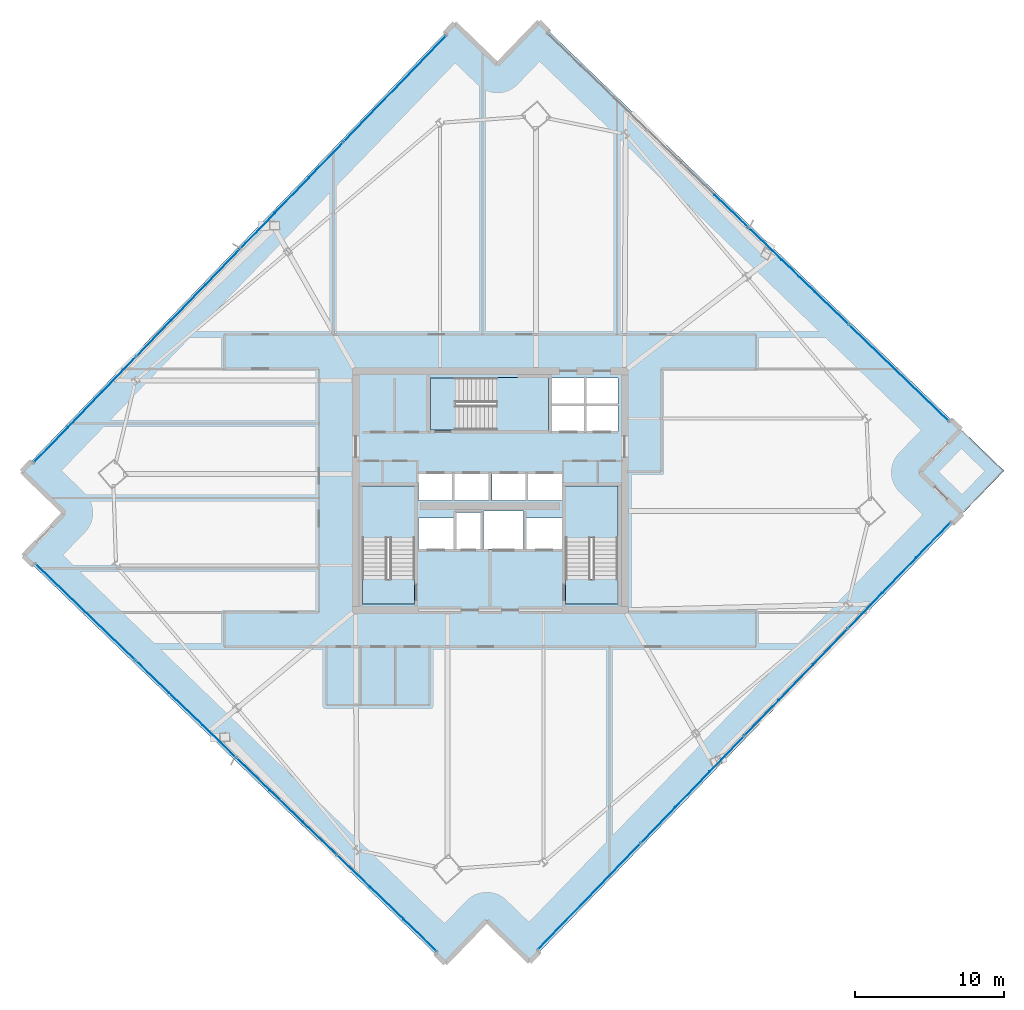
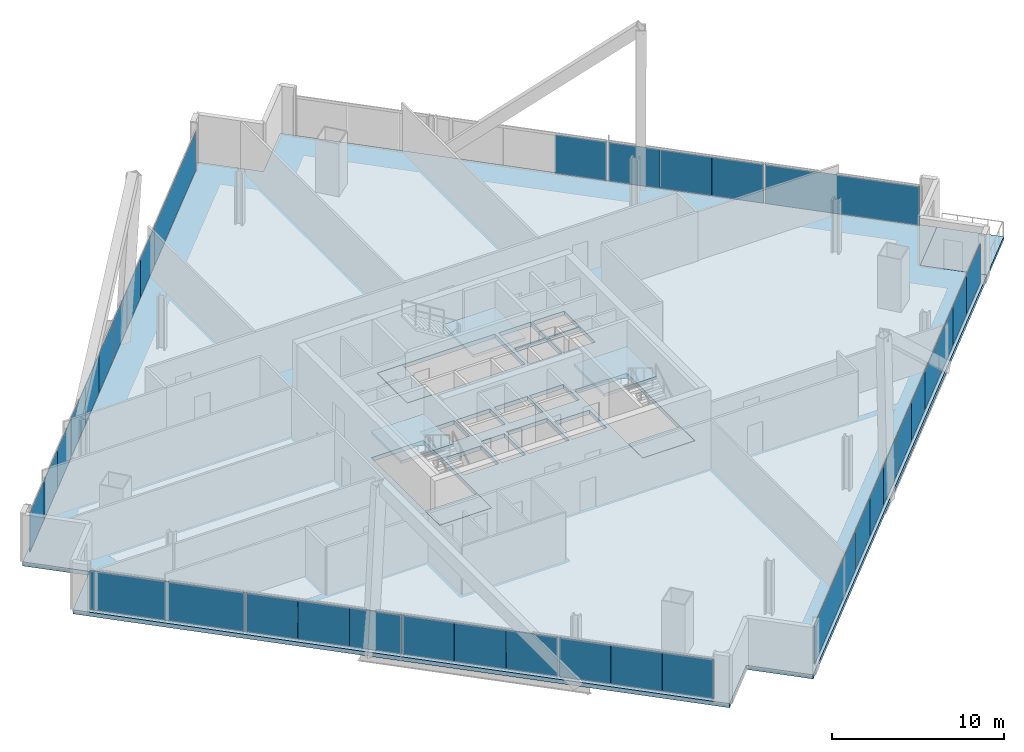
# One storey, part 24 of 33: 35 plates, 8 slabs, 7 elements without a shape of their own.
"""IFC4 building model written with IfcOpenShell, lengths in metres."""

from ifc_helpers import new_model, si_unit, direction, frame, origin, origin_2d, place, context, subcontext, project, spatial, polyline, rectangle, outline, extrude, source, transform, mapped, material, layer, layer_set, type_object, element, aggregate, save


model = new_model("IFC4")

# Units and contexts
model_context = context("Model", 3, precision=1e-05, world=origin(), true_north=direction((0.0, 1.0)))
body_context = subcontext(model_context, "Body", "Model", "MODEL_VIEW")
ifc_project = project(units=[si_unit("LENGTHUNIT", "METRE"), si_unit("AREAUNIT", "SQUARE_METRE"), si_unit("VOLUMEUNIT", "CUBIC_METRE"), si_unit("PLANEANGLEUNIT", "RADIAN"), si_unit("MASSUNIT", "GRAM", prefix="KILO")], contexts=[model_context])

# Site, building, storey
site_placement = place(None, origin())
site = spatial("IfcSite", under=ifc_project, at=site_placement, CompositionType="ELEMENT")
building_placement = place(site_placement, origin())
building = spatial("IfcBuilding", under=site, at=building_placement, Name="Haldenkirk Collegiate Tower", CompositionType="ELEMENT")
storey_placement = place(building_placement, frame((0.0, 0.0, 181.949951171875)))
storey = spatial("IfcBuildingStorey", under=building, at=storey_placement, Name="L45", CompositionType="ELEMENT", Elevation=181.949951171875)

# Slab
ifc_material_1 = material(Name="Concrete f'c 40 MPa", Category="concrete")
ifc_layer_1 = layer(ifc_material_1, 0.2900390625)
ifc_layer_set_1 = layer_set([ifc_layer_1], Name="Concrete f'c 40 MPa")
slab_type_1 = type_object("IfcSlabType", Name="SLB-FLR-290", PredefinedType="FLOOR", material=ifc_layer_set_1)
slab_1_placement = place(storey_placement, frame((0.0, 0.0, -0.2900390625)))
element("IfcSlab", 1, at=slab_1_placement, inside=storey, type_object=slab_type_1, Name="L45 composite structural floor slab", PredefinedType="FLOOR", context=body_context, shape_type="SweptSolid", body=[
    extrude(outline(polyline([(38.654541015625, -5.548583984375), (67.621826171875, 24.447998046875), (64.744384765625, 27.2265625), (67.523193359375, 30.10400390625), (39.27099609375, 57.38671875), (36.492431640625, 54.50927734375), (33.614990234375, 57.2880859375), (4.64794921875, 27.29150390625), (7.525146484375, 24.512939453125), (4.74658203125, 21.635498046875), (32.998779296875, -5.647216796875), (35.77734375, -2.769775390625), (38.654541015625, -5.548583984375)]), holes=[polyline([(27.449951171875, 18.39990234375), (30.949951171875, 18.39990234375), (30.949951171875, 26.300048828125), (27.449951171875, 26.300048828125), (27.449951171875, 18.39990234375)]), polyline([(41.050048828125, 18.39990234375), (44.550048828125, 18.39990234375), (44.550048828125, 26.300048828125), (41.050048828125, 26.300048828125), (41.050048828125, 18.39990234375)]), polyline([(32.0, 30.050048828125), (39.89990234375, 30.050048828125), (39.89990234375, 33.550048828125), (32.0, 33.550048828125), (32.0, 30.050048828125)]), polyline([(33.75, 22.10009765625), (35.35009765625, 22.10009765625), (35.35009765625, 24.550048828125), (33.75, 24.550048828125), (33.75, 22.10009765625)]), polyline([(40.14990234375, 29.949951171875), (42.320068359375, 29.949951171875), (42.320068359375, 31.699951171875), (40.14990234375, 31.699951171875), (40.14990234375, 29.949951171875)]), polyline([(42.419921875, 29.949951171875), (44.550048828125, 29.949951171875), (44.550048828125, 31.699951171875), (42.419921875, 31.699951171875), (42.419921875, 29.949951171875)]), polyline([(40.14990234375, 31.800048828125), (42.320068359375, 31.800048828125), (42.320068359375, 33.550048828125), (40.14990234375, 33.550048828125), (40.14990234375, 31.800048828125)]), polyline([(42.419921875, 31.800048828125), (44.550048828125, 31.800048828125), (44.550048828125, 33.550048828125), (42.419921875, 33.550048828125), (42.419921875, 31.800048828125)]), polyline([(31.199951171875, 25.35009765625), (33.47998046875, 25.35009765625), (33.47998046875, 27.14990234375), (31.199951171875, 27.14990234375), (31.199951171875, 25.35009765625)]), polyline([(33.60009765625, 25.35009765625), (35.8798828125, 25.35009765625), (35.8798828125, 27.14990234375), (33.60009765625, 27.14990234375), (33.60009765625, 25.35009765625)]), polyline([(36.1201171875, 25.35009765625), (38.39990234375, 25.35009765625), (38.39990234375, 27.14990234375), (36.1201171875, 27.14990234375), (36.1201171875, 25.35009765625)]), polyline([(38.52001953125, 25.35009765625), (40.800048828125, 25.35009765625), (40.800048828125, 27.14990234375), (38.52001953125, 27.14990234375), (38.52001953125, 25.35009765625)]), polyline([(31.199951171875, 22.10009765625), (33.550048828125, 22.10009765625), (33.550048828125, 24.14990234375), (31.199951171875, 24.14990234375), (31.199951171875, 22.10009765625)]), polyline([(38.449951171875, 22.10009765625), (40.800048828125, 22.10009765625), (40.800048828125, 24.14990234375), (38.449951171875, 24.14990234375), (38.449951171875, 22.10009765625)]), polyline([(35.550048828125, 22.10009765625), (38.25, 22.10009765625), (38.25, 24.64990234375), (35.550048828125, 24.64990234375), (35.550048828125, 22.10009765625)])]), origin(), (0.0, 0.0, 1.0), 0.2900390625),
])

# Stair, slab
stair_type = type_object("IfcStairType", Name="STR-DOGLEG-1650", PredefinedType="HALF_TURN_STAIR", material=ifc_material_1)
stair_1_placement = place(storey_placement, origin())
stair_1 = element("IfcStair", 2, at=stair_1_placement, inside=storey, type_object=stair_type, Name="L45 Core Exit Stair ST-1", PredefinedType="HALF_TURN_STAIR")
ifc_layer_2 = layer(ifc_material_1, 0.199951171875)
ifc_layer_set_2 = layer_set([ifc_layer_2], Name="Concrete f'c 40 MPa")
slab_type_2 = type_object("IfcSlabType", Name="SLB-LANDING-200", PredefinedType="LANDING", material=ifc_layer_set_2)
slab_2_placement = place(storey_placement, frame((0.0, 0.0, 1.675048828125)))
slab_2 = element("IfcSlab", 3, at=slab_2_placement, type_object=slab_type_2, Name="ST-1 landing 1", PredefinedType="LANDING", context=body_context, shape_type="SweptSolid", body=[
    extrude(outline(polyline([(30.97509765625, 22.824951171875), (27.425048828125, 22.824951171875), (27.425048828125, 26.324951171875), (30.97509765625, 26.324951171875), (30.97509765625, 22.824951171875)])), origin(), (0.0, 0.0, 1.0), 0.199951171875),
])
aggregate(stair_1, [slab_2])

stair_2_placement = place(storey_placement, origin())
stair_2 = element("IfcStair", 4, at=stair_2_placement, inside=storey, type_object=stair_type, Name="L45 Core Exit Stair ST-2", PredefinedType="HALF_TURN_STAIR")
slab_3_placement = place(storey_placement, frame((0.0, 0.0, 1.675048828125)))
slab_3 = element("IfcSlab", 5, at=slab_3_placement, type_object=slab_type_2, Name="ST-2 landing 1", PredefinedType="LANDING", context=body_context, shape_type="SweptSolid", body=[
    extrude(outline(polyline([(44.574951171875, 22.824951171875), (41.02490234375, 22.824951171875), (41.02490234375, 26.324951171875), (44.574951171875, 26.324951171875), (44.574951171875, 22.824951171875)])), origin(), (0.0, 0.0, 1.0), 0.199951171875),
])
aggregate(stair_2, [slab_3])

stair_3_placement = place(storey_placement, origin())
stair_3 = element("IfcStair", 6, at=stair_3_placement, inside=storey, type_object=stair_type, Name="L45 Core Exit Stair ST-3", PredefinedType="HALF_TURN_STAIR")
slab_4_placement = place(storey_placement, frame((0.0, 0.0, 1.675048828125)))
slab_4 = element("IfcSlab", 7, at=slab_4_placement, type_object=slab_type_2, Name="ST-3 landing 1", PredefinedType="LANDING", context=body_context, shape_type="SweptSolid", body=[
    extrude(outline(polyline([(36.425048828125, 30.02490234375), (36.425048828125, 33.574951171875), (39.925048828125, 33.574951171875), (39.925048828125, 30.02490234375), (36.425048828125, 30.02490234375)])), origin(), (0.0, 0.0, 1.0), 0.199951171875),
])
aggregate(stair_3, [slab_4])

# Slabs
ifc_layer_3 = layer(ifc_material_1, 0.25)
ifc_layer_set_3 = layer_set([ifc_layer_3], Name="Concrete f'c 40 MPa")
slab_type_3 = type_object("IfcSlabType", Name="SLB-STAIRLAND-250", PredefinedType="LANDING", material=ifc_layer_set_3)
slab_5_placement = place(storey_placement, frame((0.0, 0.0, -0.25)))
element("IfcSlab", 8, at=slab_5_placement, inside=storey, type_object=slab_type_3, Name="L45 stair ST1 structural floor landing slab", PredefinedType="LANDING", context=body_context, shape_type="SweptSolid", body=[
    extrude(outline(polyline([(27.4599609375, 18.409912109375), (30.93994140625, 18.409912109375), (30.93994140625, 20.080078125), (27.4599609375, 20.080078125), (27.4599609375, 18.409912109375)])), origin(), (0.0, 0.0, 1.0), 0.25),
])
slab_6_placement = place(storey_placement, frame((0.0, 0.0, -0.25)))
element("IfcSlab", 9, at=slab_6_placement, inside=storey, type_object=slab_type_3, Name="L45 stair ST2 structural floor landing slab", PredefinedType="LANDING", context=body_context, shape_type="SweptSolid", body=[
    extrude(outline(polyline([(41.06005859375, 18.409912109375), (44.5400390625, 18.409912109375), (44.5400390625, 20.080078125), (41.06005859375, 20.080078125), (41.06005859375, 18.409912109375)])), origin(), (0.0, 0.0, 1.0), 0.25),
])
slab_7_placement = place(storey_placement, frame((0.0, 0.0, -0.25)))
element("IfcSlab", 10, at=slab_7_placement, inside=storey, type_object=slab_type_3, Name="L45 stair ST3 structural floor landing slab", PredefinedType="LANDING", context=body_context, shape_type="SweptSolid", body=[
    extrude(outline(polyline([(32.010009765625, 30.06005859375), (33.679931640625, 30.06005859375), (33.679931640625, 33.5400390625), (32.010009765625, 33.5400390625), (32.010009765625, 30.06005859375)])), origin(), (0.0, 0.0, 1.0), 0.25),
])
ifc_layer_4 = layer(ifc_material_1, 0.22998046875)
ifc_layer_set_4 = layer_set([ifc_layer_4], Name="Concrete f'c 40 MPa")
slab_type_4 = type_object("IfcSlabType", Name="SLB-TERR-SPIRAL-230", PredefinedType="FLOOR", material=ifc_layer_set_4)
slab_8_placement = place(storey_placement, frame((0.0, 0.0, -0.22998046875)))
element("IfcSlab", 11, at=slab_8_placement, inside=storey, type_object=slab_type_4, Name="L45 spiralling corner terrace slab", PredefinedType="FLOOR", context=body_context, shape_type="SweptSolid", body=[
    extrude(outline(polyline([(67.621826171875, 24.447998046875), (70.400390625, 27.325439453125), (67.523193359375, 30.10400390625), (64.744384765625, 27.2265625), (67.621826171875, 24.447998046875)])), origin(), (0.0, 0.0, 1.0), 0.22998046875),
])

# Curtain wall, plates
ifc_material_2 = material(Name="Anodised architectural bronze aluminium", Category="aluminium")
curtain_wall_type_1 = type_object("IfcCurtainWallType", Name="CW-SYS2-CONCAVE", PredefinedType="USERDEFINED", material=ifc_material_2)
curtain_wall_1_placement = place(storey_placement, origin())
curtain_wall_1 = element("IfcCurtainWall", 12, at=curtain_wall_1_placement, inside=storey, type_object=curtain_wall_type_1, Name="L45 South concave recessed bronze-anodised curtain wall", ObjectType="UNITISED CURTAIN WALL", PredefinedType="USERDEFINED")
ifc_material_3 = material(Name="Low-E argon triple insulating glass", Category="glass")
ifc_layer_5 = layer(ifc_material_3, 0.0419921875)
ifc_layer_set_5 = layer_set([ifc_layer_5], Name="Low-E argon triple insulating glass")
plate_type_1 = type_object("IfcPlateType", Name="CW-PNL-02", PredefinedType="CURTAIN_PANEL", material=ifc_layer_set_5)
shared_shape_1 = source(origin(), body_context, "Body", "SweptSolid", [
    extrude(rectangle(XDim=9.862548828125, YDim=0.0419921875, at=origin_2d()), origin(), (0.0, 0.0, 1.0), 2.760986328125),
])
plate_1_placement = place(storey_placement, frame((42.6279296875, -1.1748046875, 0.0751953125), z_axis=(0.0, 0.0, 1.0), x_axis=(-0.694658247158, -0.719339919409, 0.0)))
plate_1 = element("IfcPlate", 13, at=plate_1_placement, type_object=plate_type_1, Name="CW-02 panel 4.1", PredefinedType="CURTAIN_PANEL", context=body_context, shape_type="MappedRepresentation", body=[
    mapped(shared_shape_1, transform((0.0, 0.0, 0.0), x_axis=(1.0, 0.0, 0.0), y_axis=(0.0, 1.0, 0.0), z_axis=(0.0, 0.0, 1.0), scale=1.0)),
])
ifc_material_4 = material(Name="Bronze-anodised insulated aluminium spandrel panel", Category="aluminium")
ifc_layer_6 = layer(ifc_material_4, 0.0419921875)
ifc_layer_set_6 = layer_set([ifc_layer_6], Name="Bronze-anodised insulated aluminium spandrel panel")
plate_type_2 = type_object("IfcPlateType", Name="CW-SPD-02", PredefinedType="CURTAIN_PANEL", material=ifc_layer_set_6)
shared_shape_2 = source(origin(), body_context, "Body", "SweptSolid", [
    extrude(rectangle(XDim=3.28759765625, YDim=0.0419921875, at=origin_2d()), origin(), (0.0, 0.0, 1.0), 2.760986328125),
])
plate_2_placement = place(storey_placement, frame((58.77001953125, 15.540771484375, 0.0751953125), z_axis=(0.0, 0.0, 1.0), x_axis=(-0.694658247158, -0.719339919409, 0.0)))
plate_2 = element("IfcPlate", 14, at=plate_2_placement, type_object=plate_type_2, Name="CW-02 spandrel panel 2.1a", PredefinedType="CURTAIN_PANEL", context=body_context, shape_type="MappedRepresentation", body=[
    mapped(shared_shape_2, transform((0.0, 0.0, 0.0), x_axis=(1.0, 0.0, 0.0), y_axis=(0.0, 1.0, 0.0), z_axis=(0.0, 0.0, 1.0), scale=1.0)),
])
plate_3_placement = place(storey_placement, frame((54.176513671875, 10.7841796875, 0.0751953125), z_axis=(0.0, 0.0, 1.0), x_axis=(-0.694658247158, -0.719339919409, 0.0)))
plate_3 = element("IfcPlate", 15, at=plate_3_placement, type_object=plate_type_1, Name="CW-02 panel 2.1c", PredefinedType="CURTAIN_PANEL", context=body_context, shape_type="MappedRepresentation", body=[
    mapped(shared_shape_2, transform((0.0, 0.0, 0.0), x_axis=(1.0, 0.0, 0.0), y_axis=(0.0, 1.0, 0.0), z_axis=(0.0, 0.0, 1.0), scale=1.0)),
])
plate_4_placement = place(storey_placement, frame((51.8408203125, 8.365478515625, 0.0751953125), z_axis=(0.0, 0.0, 1.0), x_axis=(-0.694658247158, -0.719339919409, 0.0)))
plate_4 = element("IfcPlate", 16, at=plate_4_placement, type_object=plate_type_2, Name="CW-02 spandrel panel 3.1a", PredefinedType="CURTAIN_PANEL", context=body_context, shape_type="MappedRepresentation", body=[
    mapped(shared_shape_2, transform((0.0, 0.0, 0.0), x_axis=(1.0, 0.0, 0.0), y_axis=(0.0, 1.0, 0.0), z_axis=(0.0, 0.0, 1.0), scale=1.0)),
])
plate_5_placement = place(storey_placement, frame((47.247314453125, 3.608642578125, 0.0751953125), z_axis=(0.0, 0.0, 1.0), x_axis=(-0.694658247158, -0.719339919409, 0.0)))
plate_5 = element("IfcPlate", 17, at=plate_5_placement, type_object=plate_type_1, Name="CW-02 panel 3.1c", PredefinedType="CURTAIN_PANEL", context=body_context, shape_type="MappedRepresentation", body=[
    mapped(shared_shape_2, transform((0.0, 0.0, 0.0), x_axis=(1.0, 0.0, 0.0), y_axis=(0.0, 1.0, 0.0), z_axis=(0.0, 0.0, 1.0), scale=1.0)),
])
shared_shape_3 = source(origin(), body_context, "Body", "SweptSolid", [
    extrude(rectangle(XDim=3.27490234375, YDim=0.0419921875, at=origin_2d()), origin(), (0.0, 0.0, 1.0), 2.760986328125),
])
plate_6_placement = place(storey_placement, frame((65.677490234375, 22.693603515625, 0.0751953125), z_axis=(0.0, 0.0, 1.0), x_axis=(-0.694658247158, -0.719339919409, 0.0)))
plate_6 = element("IfcPlate", 18, at=plate_6_placement, type_object=plate_type_1, Name="CW-02 panel 1.1a", PredefinedType="CURTAIN_PANEL", context=body_context, shape_type="MappedRepresentation", body=[
    mapped(shared_shape_3, transform((0.0, 0.0, 0.0), x_axis=(1.0, 0.0, 0.0), y_axis=(0.0, 1.0, 0.0), z_axis=(0.0, 0.0, 1.0), scale=1.0)),
])
plate_7_placement = place(storey_placement, frame((61.1015625, 17.955078125, 0.0751953125), z_axis=(0.0, 0.0, 1.0), x_axis=(-0.694658247158, -0.719339919409, 0.0)))
plate_7 = element("IfcPlate", 19, at=plate_7_placement, type_object=plate_type_2, Name="CW-02 spandrel panel 1.1c", PredefinedType="CURTAIN_PANEL", context=body_context, shape_type="MappedRepresentation", body=[
    mapped(shared_shape_3, transform((0.0, 0.0, 0.0), x_axis=(1.0, 0.0, 0.0), y_axis=(0.0, 1.0, 0.0), z_axis=(0.0, 0.0, 1.0), scale=1.0)),
])
plate_8_placement = place(storey_placement, frame((56.473388671875, 13.16259765625, 0.0751953125), z_axis=(0.0, 0.0, 1.0), x_axis=(-0.694658247158, -0.719339919409, 0.0)))
plate_8 = element("IfcPlate", 20, at=plate_8_placement, type_object=plate_type_1, Name="CW-02 panel 2.1b", PredefinedType="CURTAIN_PANEL", context=body_context, shape_type="MappedRepresentation", body=[
    mapped(shared_shape_3, transform((0.0, 0.0, 0.0), x_axis=(1.0, 0.0, 0.0), y_axis=(0.0, 1.0, 0.0), z_axis=(0.0, 0.0, 1.0), scale=1.0)),
])
plate_9_placement = place(storey_placement, frame((49.544189453125, 5.987060546875, 0.0751953125), z_axis=(0.0, 0.0, 1.0), x_axis=(-0.694658247158, -0.719339919409, 0.0)))
plate_9 = element("IfcPlate", 21, at=plate_9_placement, type_object=plate_type_1, Name="CW-02 panel 3.1b", PredefinedType="CURTAIN_PANEL", context=body_context, shape_type="MappedRepresentation", body=[
    mapped(shared_shape_3, transform((0.0, 0.0, 0.0), x_axis=(1.0, 0.0, 0.0), y_axis=(0.0, 1.0, 0.0), z_axis=(0.0, 0.0, 1.0), scale=1.0)),
])

# Curtain wall, plate
curtain_wall_type_2 = type_object("IfcCurtainWallType", Name="CW-SYS1-CONVEX-LOW", PredefinedType="USERDEFINED", material=ifc_material_2)
curtain_wall_2_placement = place(storey_placement, origin())
curtain_wall_2 = element("IfcCurtainWall", 22, at=curtain_wall_2_placement, inside=storey, type_object=curtain_wall_type_2, Name="L45 Lower tower convex bronze-framed unitised curtain wall", ObjectType="UNITISED CURTAIN WALL", PredefinedType="USERDEFINED")
ifc_layer_7 = layer(ifc_material_3, 0.0439453125)
ifc_layer_set_7 = layer_set([ifc_layer_7], Name="Low-E argon triple insulating glass")
plate_type_3 = type_object("IfcPlateType", Name="CW-PNL-1A", PredefinedType="CURTAIN_PANEL", material=ifc_layer_set_7)
shared_shape_4 = source(origin(), body_context, "Body", "SweptSolid", [
    extrude(rectangle(XDim=9.248779296875, YDim=0.0439453125, at=origin_2d()), origin(), (0.0, 0.0, 1.0), 2.7509765625),
])
plate_10_placement = place(storey_placement, frame((63.36669921875, 33.86767578125, 0.080078125), z_axis=(0.0, 0.0, 1.0), x_axis=(0.719340627176, -0.694657514243, 0.0)))
plate_10 = element("IfcPlate", 23, at=plate_10_placement, type_object=plate_type_3, Name="CW-1A panel 4.1", PredefinedType="CURTAIN_PANEL", context=body_context, shape_type="MappedRepresentation", body=[
    mapped(shared_shape_4, transform((0.0, 0.0, 0.0), x_axis=(1.0, 0.0, 0.0), y_axis=(0.0, 1.0, 0.0), z_axis=(0.0, 0.0, 1.0), scale=1.0)),
])

curtain_wall_3_placement = place(storey_placement, origin())
curtain_wall_3 = element("IfcCurtainWall", 24, at=curtain_wall_3_placement, inside=storey, type_object=curtain_wall_type_2, Name="L45 Lower tower convex bronze-framed unitised curtain wall", ObjectType="UNITISED CURTAIN WALL", PredefinedType="USERDEFINED")
plate_11_placement = place(storey_placement, frame((8.903076171875, 17.871826171875, 0.080078125), z_axis=(0.0, 0.0, 1.0), x_axis=(-0.719340627176, 0.694657514243, 0.0)))
plate_11 = element("IfcPlate", 25, at=plate_11_placement, type_object=plate_type_3, Name="CW-1A panel 4.1", PredefinedType="CURTAIN_PANEL", context=body_context, shape_type="MappedRepresentation", body=[
    mapped(shared_shape_4, transform((0.0, 0.0, 0.0), x_axis=(1.0, 0.0, 0.0), y_axis=(0.0, 1.0, 0.0), z_axis=(0.0, 0.0, 1.0), scale=1.0)),
])

# Plate
shared_shape_5 = source(origin(), body_context, "Body", "SweptSolid", [
    extrude(rectangle(XDim=3.083740234375, YDim=0.0439453125, at=origin_2d()), origin(), (0.0, 0.0, 1.0), 2.7509765625),
])
plate_12_placement = place(storey_placement, frame((52.13427734375, 44.714599609375, 0.080078125), z_axis=(0.0, 0.0, 1.0), x_axis=(0.719340627176, -0.694657514243, 0.0)))
plate_12 = element("IfcPlate", 26, at=plate_12_placement, type_object=plate_type_3, Name="CW-1A panel 2.1c", PredefinedType="CURTAIN_PANEL", context=body_context, shape_type="MappedRepresentation", body=[
    mapped(shared_shape_5, transform((0.0, 0.0, 0.0), x_axis=(1.0, 0.0, 0.0), y_axis=(0.0, 1.0, 0.0), z_axis=(0.0, 0.0, 1.0), scale=1.0)),
])

ifc_layer_8 = layer(ifc_material_4, 0.0439453125)
ifc_layer_set_8 = layer_set([ifc_layer_8], Name="Bronze-anodised insulated aluminium spandrel panel")
plate_type_4 = type_object("IfcPlateType", Name="CW-SPD-1A", PredefinedType="CURTAIN_PANEL", material=ifc_layer_set_8)
plate_13_placement = place(storey_placement, frame((54.41015625, 42.51708984375, 0.080078125), z_axis=(0.0, 0.0, 1.0), x_axis=(0.719340627176, -0.694657514243, 0.0)))
plate_13 = element("IfcPlate", 27, at=plate_13_placement, type_object=plate_type_4, Name="CW-1A spandrel panel 3.1a", PredefinedType="CURTAIN_PANEL", context=body_context, shape_type="MappedRepresentation", body=[
    mapped(shared_shape_5, transform((0.0, 0.0, 0.0), x_axis=(1.0, 0.0, 0.0), y_axis=(0.0, 1.0, 0.0), z_axis=(0.0, 0.0, 1.0), scale=1.0)),
])

plate_14_placement = place(storey_placement, frame((58.87353515625, 38.20654296875, 0.080078125), z_axis=(0.0, 0.0, 1.0), x_axis=(0.719340627176, -0.694657514243, 0.0)))
plate_14 = element("IfcPlate", 28, at=plate_14_placement, type_object=plate_type_3, Name="CW-1A panel 3.1c", PredefinedType="CURTAIN_PANEL", context=body_context, shape_type="MappedRepresentation", body=[
    mapped(shared_shape_5, transform((0.0, 0.0, 0.0), x_axis=(1.0, 0.0, 0.0), y_axis=(0.0, 1.0, 0.0), z_axis=(0.0, 0.0, 1.0), scale=1.0)),
])

plate_15_placement = place(storey_placement, frame((24.59912109375, 2.71435546875, 0.080078125), z_axis=(0.0, 0.0, 1.0), x_axis=(-0.719340627176, 0.694657514243, 0.0)))
plate_15 = element("IfcPlate", 29, at=plate_15_placement, type_object=plate_type_4, Name="CW-1A spandrel panel 2.1a", PredefinedType="CURTAIN_PANEL", context=body_context, shape_type="MappedRepresentation", body=[
    mapped(shared_shape_5, transform((0.0, 0.0, 0.0), x_axis=(1.0, 0.0, 0.0), y_axis=(0.0, 1.0, 0.0), z_axis=(0.0, 0.0, 1.0), scale=1.0)),
])

plate_16_placement = place(storey_placement, frame((20.135498046875, 7.02490234375, 0.080078125), z_axis=(0.0, 0.0, 1.0), x_axis=(-0.719340627176, 0.694657514243, 0.0)))
plate_16 = element("IfcPlate", 30, at=plate_16_placement, type_object=plate_type_3, Name="CW-1A panel 2.1c", PredefinedType="CURTAIN_PANEL", context=body_context, shape_type="MappedRepresentation", body=[
    mapped(shared_shape_5, transform((0.0, 0.0, 0.0), x_axis=(1.0, 0.0, 0.0), y_axis=(0.0, 1.0, 0.0), z_axis=(0.0, 0.0, 1.0), scale=1.0)),
])

plate_17_placement = place(storey_placement, frame((17.859619140625, 9.222412109375, 0.080078125), z_axis=(0.0, 0.0, 1.0), x_axis=(-0.719340627176, 0.694657514243, 0.0)))
plate_17 = element("IfcPlate", 31, at=plate_17_placement, type_object=plate_type_4, Name="CW-1A spandrel panel 3.1a", PredefinedType="CURTAIN_PANEL", context=body_context, shape_type="MappedRepresentation", body=[
    mapped(shared_shape_5, transform((0.0, 0.0, 0.0), x_axis=(1.0, 0.0, 0.0), y_axis=(0.0, 1.0, 0.0), z_axis=(0.0, 0.0, 1.0), scale=1.0)),
])

plate_18_placement = place(storey_placement, frame((13.396240234375, 13.532958984375, 0.080078125), z_axis=(0.0, 0.0, 1.0), x_axis=(-0.719340627176, 0.694657514243, 0.0)))
plate_18 = element("IfcPlate", 32, at=plate_18_placement, type_object=plate_type_3, Name="CW-1A panel 3.1c", PredefinedType="CURTAIN_PANEL", context=body_context, shape_type="MappedRepresentation", body=[
    mapped(shared_shape_5, transform((0.0, 0.0, 0.0), x_axis=(1.0, 0.0, 0.0), y_axis=(0.0, 1.0, 0.0), z_axis=(0.0, 0.0, 1.0), scale=1.0)),
])

shared_shape_6 = source(origin(), body_context, "Body", "SweptSolid", [
    extrude(rectangle(XDim=3.0712890625, YDim=0.0439453125, at=origin_2d()), origin(), (0.0, 0.0, 1.0), 2.7509765625),
])
plate_19_placement = place(storey_placement, frame((56.641845703125, 40.36181640625, 0.080078125), z_axis=(0.0, 0.0, 1.0), x_axis=(0.719340627176, -0.694657514243, 0.0)))
plate_19 = element("IfcPlate", 33, at=plate_19_placement, type_object=plate_type_3, Name="CW-1A panel 3.1b", PredefinedType="CURTAIN_PANEL", context=body_context, shape_type="MappedRepresentation", body=[
    mapped(shared_shape_6, transform((0.0, 0.0, 0.0), x_axis=(1.0, 0.0, 0.0), y_axis=(0.0, 1.0, 0.0), z_axis=(0.0, 0.0, 1.0), scale=1.0)),
])

aggregate(curtain_wall_2, [plate_12, plate_13, plate_19, plate_14, plate_10])

plate_20_placement = place(storey_placement, frame((22.3671875, 4.86962890625, 0.080078125), z_axis=(0.0, 0.0, 1.0), x_axis=(-0.719340627176, 0.694657514243, 0.0)))
plate_20 = element("IfcPlate", 34, at=plate_20_placement, type_object=plate_type_3, Name="CW-1A panel 2.1b", PredefinedType="CURTAIN_PANEL", context=body_context, shape_type="MappedRepresentation", body=[
    mapped(shared_shape_6, transform((0.0, 0.0, 0.0), x_axis=(1.0, 0.0, 0.0), y_axis=(0.0, 1.0, 0.0), z_axis=(0.0, 0.0, 1.0), scale=1.0)),
])

plate_21_placement = place(storey_placement, frame((15.6279296875, 11.377685546875, 0.080078125), z_axis=(0.0, 0.0, 1.0), x_axis=(-0.719340627176, 0.694657514243, 0.0)))
plate_21 = element("IfcPlate", 35, at=plate_21_placement, type_object=plate_type_3, Name="CW-1A panel 3.1b", PredefinedType="CURTAIN_PANEL", context=body_context, shape_type="MappedRepresentation", body=[
    mapped(shared_shape_6, transform((0.0, 0.0, 0.0), x_axis=(1.0, 0.0, 0.0), y_axis=(0.0, 1.0, 0.0), z_axis=(0.0, 0.0, 1.0), scale=1.0)),
])

# Curtain wall, plates
curtain_wall_4_placement = place(storey_placement, origin())
curtain_wall_4 = element("IfcCurtainWall", 36, at=curtain_wall_4_placement, inside=storey, type_object=curtain_wall_type_2, Name="L45 Lower tower convex bronze-framed unitised curtain wall", ObjectType="UNITISED CURTAIN WALL", PredefinedType="USERDEFINED")
shared_shape_7 = source(origin(), body_context, "Body", "SweptSolid", [
    extrude(rectangle(XDim=9.85498046875, YDim=0.0439453125, at=origin_2d()), origin(), (0.0, 0.0, 1.0), 2.7509765625),
])
plate_22_placement = place(storey_placement, frame((29.640869140625, 52.91357421875, 0.080078125), z_axis=(0.0, 0.0, 1.0), x_axis=(0.694656950291, 0.719341171776, 0.0)))
plate_22 = element("IfcPlate", 37, at=plate_22_placement, type_object=plate_type_3, Name="CW-1A panel 4.1", PredefinedType="CURTAIN_PANEL", context=body_context, shape_type="MappedRepresentation", body=[
    mapped(shared_shape_7, transform((0.0, 0.0, 0.0), x_axis=(1.0, 0.0, 0.0), y_axis=(0.0, 1.0, 0.0), z_axis=(0.0, 0.0, 1.0), scale=1.0)),
])
shared_shape_8 = source(origin(), body_context, "Body", "SweptSolid", [
    extrude(rectangle(XDim=3.285888671875, YDim=0.0439453125, at=origin_2d()), origin(), (0.0, 0.0, 1.0), 2.7509765625),
])
plate_23_placement = place(storey_placement, frame((13.500732421875, 36.199951171875, 0.080078125), z_axis=(0.0, 0.0, 1.0), x_axis=(0.694656950291, 0.719341171776, 0.0)))
plate_23 = element("IfcPlate", 38, at=plate_23_placement, type_object=plate_type_4, Name="CW-1A spandrel panel 2.1a", PredefinedType="CURTAIN_PANEL", context=body_context, shape_type="MappedRepresentation", body=[
    mapped(shared_shape_8, transform((0.0, 0.0, 0.0), x_axis=(1.0, 0.0, 0.0), y_axis=(0.0, 1.0, 0.0), z_axis=(0.0, 0.0, 1.0), scale=1.0)),
])
plate_24_placement = place(storey_placement, frame((18.092041015625, 40.9541015625, 0.080078125), z_axis=(0.0, 0.0, 1.0), x_axis=(0.694656950291, 0.719341171776, 0.0)))
plate_24 = element("IfcPlate", 39, at=plate_24_placement, type_object=plate_type_3, Name="CW-1A panel 2.1c", PredefinedType="CURTAIN_PANEL", context=body_context, shape_type="MappedRepresentation", body=[
    mapped(shared_shape_8, transform((0.0, 0.0, 0.0), x_axis=(1.0, 0.0, 0.0), y_axis=(0.0, 1.0, 0.0), z_axis=(0.0, 0.0, 1.0), scale=1.0)),
])
plate_25_placement = place(storey_placement, frame((20.429931640625, 43.375244140625, 0.080078125), z_axis=(0.0, 0.0, 1.0), x_axis=(0.694656950291, 0.719341171776, 0.0)))
plate_25 = element("IfcPlate", 40, at=plate_25_placement, type_object=plate_type_4, Name="CW-1A spandrel panel 3.1a", PredefinedType="CURTAIN_PANEL", context=body_context, shape_type="MappedRepresentation", body=[
    mapped(shared_shape_8, transform((0.0, 0.0, 0.0), x_axis=(1.0, 0.0, 0.0), y_axis=(0.0, 1.0, 0.0), z_axis=(0.0, 0.0, 1.0), scale=1.0)),
])
plate_26_placement = place(storey_placement, frame((25.021240234375, 48.129638671875, 0.080078125), z_axis=(0.0, 0.0, 1.0), x_axis=(0.694656950291, 0.719341171776, 0.0)))
plate_26 = element("IfcPlate", 41, at=plate_26_placement, type_object=plate_type_3, Name="CW-1A panel 3.1c", PredefinedType="CURTAIN_PANEL", context=body_context, shape_type="MappedRepresentation", body=[
    mapped(shared_shape_8, transform((0.0, 0.0, 0.0), x_axis=(1.0, 0.0, 0.0), y_axis=(0.0, 1.0, 0.0), z_axis=(0.0, 0.0, 1.0), scale=1.0)),
])
shared_shape_9 = source(origin(), body_context, "Body", "SweptSolid", [
    extrude(rectangle(XDim=3.273193359375, YDim=0.0439453125, at=origin_2d()), origin(), (0.0, 0.0, 1.0), 2.7509765625),
])
plate_27_placement = place(storey_placement, frame((15.79638671875, 38.576904296875, 0.080078125), z_axis=(0.0, 0.0, 1.0), x_axis=(0.694656950291, 0.719341171776, 0.0)))
plate_27 = element("IfcPlate", 42, at=plate_27_placement, type_object=plate_type_3, Name="CW-1A panel 2.1b", PredefinedType="CURTAIN_PANEL", context=body_context, shape_type="MappedRepresentation", body=[
    mapped(shared_shape_9, transform((0.0, 0.0, 0.0), x_axis=(1.0, 0.0, 0.0), y_axis=(0.0, 1.0, 0.0), z_axis=(0.0, 0.0, 1.0), scale=1.0)),
])
plate_28_placement = place(storey_placement, frame((22.7255859375, 45.75244140625, 0.080078125), z_axis=(0.0, 0.0, 1.0), x_axis=(0.694656950291, 0.719341171776, 0.0)))
plate_28 = element("IfcPlate", 43, at=plate_28_placement, type_object=plate_type_3, Name="CW-1A panel 3.1b", PredefinedType="CURTAIN_PANEL", context=body_context, shape_type="MappedRepresentation", body=[
    mapped(shared_shape_9, transform((0.0, 0.0, 0.0), x_axis=(1.0, 0.0, 0.0), y_axis=(0.0, 1.0, 0.0), z_axis=(0.0, 0.0, 1.0), scale=1.0)),
])

# Plate
shared_shape_10 = source(origin(), body_context, "Body", "SweptSolid", [
    extrude(rectangle(XDim=3.262451171875, YDim=0.0419921875, at=origin_2d()), origin(), (0.0, 0.0, 1.0), 2.760986328125),
])
plate_29_placement = place(storey_placement, frame((63.3896484375, 20.324462890625, 0.0751953125), z_axis=(0.0, 0.0, 1.0), x_axis=(-0.694658247158, -0.719339919409, 0.0)))
plate_29 = element("IfcPlate", 44, at=plate_29_placement, type_object=plate_type_1, Name="CW-02 panel 1.1b", PredefinedType="CURTAIN_PANEL", context=body_context, shape_type="MappedRepresentation", body=[
    mapped(shared_shape_10, transform((0.0, 0.0, 0.0), x_axis=(1.0, 0.0, 0.0), y_axis=(0.0, 1.0, 0.0), z_axis=(0.0, 0.0, 1.0), scale=1.0)),
])

aggregate(curtain_wall_1, [plate_6, plate_29, plate_7, plate_2, plate_8, plate_3, plate_4, plate_9, plate_5, plate_1])

shared_shape_11 = source(origin(), body_context, "Body", "SweptSolid", [
    extrude(rectangle(XDim=3.0703125, YDim=0.0439453125, at=origin_2d()), origin(), (0.0, 0.0, 1.0), 2.7509765625),
])
plate_30_placement = place(storey_placement, frame((31.314453125, -3.7705078125, 0.080078125), z_axis=(0.0, 0.0, 1.0), x_axis=(-0.719340627176, 0.694657514243, 0.0)))
plate_30 = element("IfcPlate", 45, at=plate_30_placement, type_object=plate_type_3, Name="CW-1A panel 1.1a", PredefinedType="CURTAIN_PANEL", context=body_context, shape_type="MappedRepresentation", body=[
    mapped(shared_shape_11, transform((0.0, 0.0, 0.0), x_axis=(1.0, 0.0, 0.0), y_axis=(0.0, 1.0, 0.0), z_axis=(0.0, 0.0, 1.0), scale=1.0)),
])

plate_31_placement = place(storey_placement, frame((26.8701171875, 0.521240234375, 0.080078125), z_axis=(0.0, 0.0, 1.0), x_axis=(-0.719340627176, 0.694657514243, 0.0)))
plate_31 = element("IfcPlate", 46, at=plate_31_placement, type_object=plate_type_4, Name="CW-1A spandrel panel 1.1c", PredefinedType="CURTAIN_PANEL", context=body_context, shape_type="MappedRepresentation", body=[
    mapped(shared_shape_11, transform((0.0, 0.0, 0.0), x_axis=(1.0, 0.0, 0.0), y_axis=(0.0, 1.0, 0.0), z_axis=(0.0, 0.0, 1.0), scale=1.0)),
])

shared_shape_12 = source(origin(), body_context, "Body", "SweptSolid", [
    extrude(rectangle(XDim=3.057861328125, YDim=0.0439453125, at=origin_2d()), origin(), (0.0, 0.0, 1.0), 2.7509765625),
])
plate_32_placement = place(storey_placement, frame((29.09228515625, -1.62451171875, 0.080078125), z_axis=(0.0, 0.0, 1.0), x_axis=(-0.719340627176, 0.694657514243, 0.0)))
plate_32 = element("IfcPlate", 47, at=plate_32_placement, type_object=plate_type_3, Name="CW-1A panel 1.1b", PredefinedType="CURTAIN_PANEL", context=body_context, shape_type="MappedRepresentation", body=[
    mapped(shared_shape_12, transform((0.0, 0.0, 0.0), x_axis=(1.0, 0.0, 0.0), y_axis=(0.0, 1.0, 0.0), z_axis=(0.0, 0.0, 1.0), scale=1.0)),
])

aggregate(curtain_wall_3, [plate_30, plate_32, plate_31, plate_15, plate_20, plate_16, plate_17, plate_21, plate_18, plate_11])

shared_shape_13 = source(origin(), body_context, "Body", "SweptSolid", [
    extrude(rectangle(XDim=3.2724609375, YDim=0.0439453125, at=origin_2d()), origin(), (0.0, 0.0, 1.0), 2.7509765625),
])
plate_33_placement = place(storey_placement, frame((6.5947265625, 29.048583984375, 0.080078125), z_axis=(0.0, 0.0, 1.0), x_axis=(0.694656950291, 0.719341171776, 0.0)))
plate_33 = element("IfcPlate", 48, at=plate_33_placement, type_object=plate_type_3, Name="CW-1A panel 1.1a", PredefinedType="CURTAIN_PANEL", context=body_context, shape_type="MappedRepresentation", body=[
    mapped(shared_shape_13, transform((0.0, 0.0, 0.0), x_axis=(1.0, 0.0, 0.0), y_axis=(0.0, 1.0, 0.0), z_axis=(0.0, 0.0, 1.0), scale=1.0)),
])

plate_34_placement = place(storey_placement, frame((11.16748046875, 33.783447265625, 0.080078125), z_axis=(0.0, 0.0, 1.0), x_axis=(0.694656950291, 0.719341171776, 0.0)))
plate_34 = element("IfcPlate", 49, at=plate_34_placement, type_object=plate_type_4, Name="CW-1A spandrel panel 1.1c", PredefinedType="CURTAIN_PANEL", context=body_context, shape_type="MappedRepresentation", body=[
    mapped(shared_shape_13, transform((0.0, 0.0, 0.0), x_axis=(1.0, 0.0, 0.0), y_axis=(0.0, 1.0, 0.0), z_axis=(0.0, 0.0, 1.0), scale=1.0)),
])

shared_shape_14 = source(origin(), body_context, "Body", "SweptSolid", [
    extrude(rectangle(XDim=3.260009765625, YDim=0.0439453125, at=origin_2d()), origin(), (0.0, 0.0, 1.0), 2.7509765625),
])
plate_35_placement = place(storey_placement, frame((8.881103515625, 31.416015625, 0.080078125), z_axis=(0.0, 0.0, 1.0), x_axis=(0.694656950291, 0.719341171776, 0.0)))
plate_35 = element("IfcPlate", 50, at=plate_35_placement, type_object=plate_type_3, Name="CW-1A panel 1.1b", PredefinedType="CURTAIN_PANEL", context=body_context, shape_type="MappedRepresentation", body=[
    mapped(shared_shape_14, transform((0.0, 0.0, 0.0), x_axis=(1.0, 0.0, 0.0), y_axis=(0.0, 1.0, 0.0), z_axis=(0.0, 0.0, 1.0), scale=1.0)),
])

aggregate(curtain_wall_4, [plate_33, plate_35, plate_34, plate_23, plate_27, plate_24, plate_25, plate_28, plate_26, plate_22])

save(model, "model.ifc")
